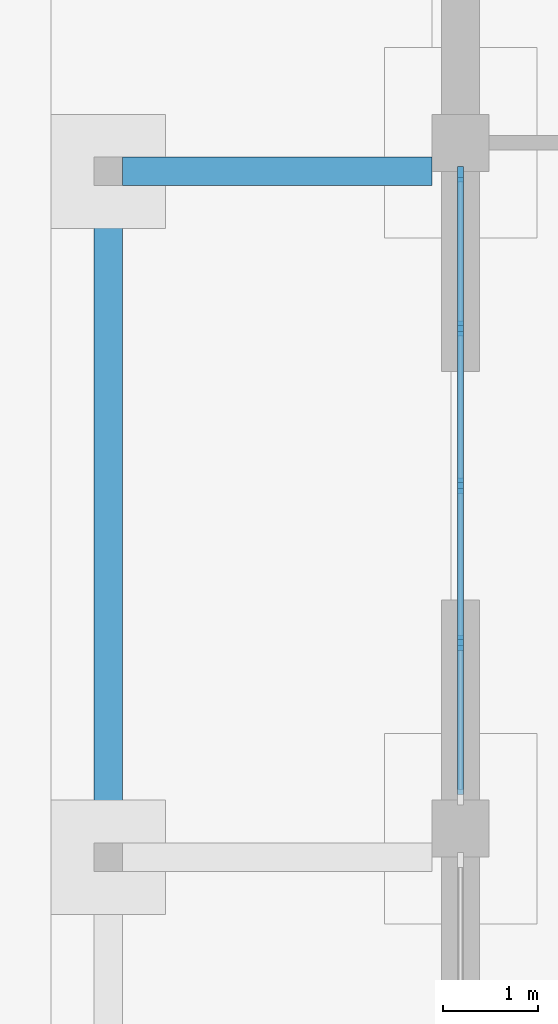
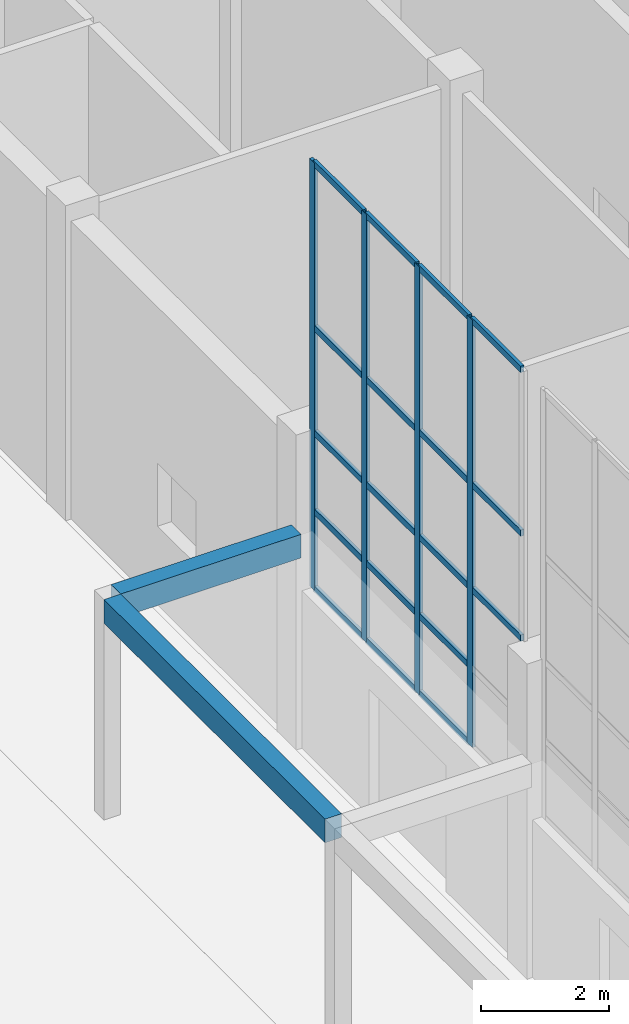
# One storey, part 11 of 70: 22 members, 2 beams, 1 element without a shape of its own.
"""IFC4 building model written with IfcOpenShell, lengths in metres."""

from ifc_helpers import new_model, si_unit, direction, frame, origin, origin_2d, place, context, subcontext, project, spatial, rectangle, extrude, material, material_profile, profile_set, type_object, element, aggregate, save


model = new_model("IFC4")

# Units and contexts
model_context = context("Model", 3, precision=1e-05, world=origin(), true_north=direction((0.0, 1.0)))
body_context = subcontext(model_context, "Body", "Model", "MODEL_VIEW")
ifc_project = project(units=[si_unit("LENGTHUNIT", "METRE"), si_unit("AREAUNIT", "SQUARE_METRE"), si_unit("VOLUMEUNIT", "CUBIC_METRE"), si_unit("PLANEANGLEUNIT", "RADIAN"), si_unit("MASSUNIT", "GRAM", prefix="KILO")], contexts=[model_context])

# Site, building, storey
site_placement = place(None, origin())
site = spatial("IfcSite", under=ifc_project, at=site_placement, CompositionType="ELEMENT")
building_placement = place(site_placement, origin())
building = spatial("IfcBuilding", under=site, at=building_placement, Name="Vermilion Court Aquatics Centre", CompositionType="ELEMENT")
storey_placement = place(building_placement, origin())
storey = spatial("IfcBuildingStorey", under=building, at=storey_placement, Name="L00", CompositionType="ELEMENT", Elevation=0.0)

# Beams
ifc_material_1 = material(Name="Concrete 5000 psi", Category="concrete")
ifc_material_profile_1 = material_profile(ifc_material_1, rectangle(XDim=0.300048828125, YDim=0.449951171875, at=origin_2d()), Name="RC 300x450")
ifc_profile_set_1 = profile_set([ifc_material_profile_1], Name="Concrete 5000 psi")
beam_type = type_object("IfcBeamType", Name="Foyer canopy beam RC 300x450", PredefinedType="BEAM", material=ifc_profile_set_1)
beam_1_placement = place(storey_placement, frame((-3.25, 50.10009765625, 3.97509765625), z_axis=(1.0, 0.0, 0.0), x_axis=(0.0, 1.0, 0.0)))
element("IfcBeam", 1, at=beam_1_placement, inside=storey, type_object=beam_type, Name="Foyer canopy beam", PredefinedType="BEAM", context=body_context, shape_type="SweptSolid", body=[
    extrude(rectangle(XDim=0.300048828125, YDim=0.449951171875, at=origin_2d()), origin(), (0.0, 0.0, 1.0), 3.25),
])
beam_2_placement = place(storey_placement, frame((-3.39990234375, 43.050048828125, 3.97509765625), z_axis=(0.0, 1.0, 0.0), x_axis=(-1.0, 0.0, 0.0)))
element("IfcBeam", 2, at=beam_2_placement, inside=storey, type_object=beam_type, Name="Foyer canopy edge beam", PredefinedType="BEAM", context=body_context, shape_type="SweptSolid", body=[
    extrude(rectangle(XDim=0.300048828125, YDim=0.449951171875, at=origin_2d()), origin(), (0.0, 0.0, 1.0), 6.89990234375),
])

# Curtain wall, members
ifc_material_2 = material(Name="Aluminium 6063-T5", Category="aluminium")
curtain_wall_type = type_object("IfcCurtainWallType", Name="Foyer curtain wall", PredefinedType="NOTDEFINED", material=ifc_material_2)
curtain_wall_placement = place(storey_placement, origin())
curtain_wall = element("IfcCurtainWall", 3, at=curtain_wall_placement, inside=storey, type_object=curtain_wall_type, Name="Foyer curtain wall 7", PredefinedType="NOTDEFINED")
ifc_material_3 = material(Name="Aluminium 6063-T5", Category="aluminium")
ifc_material_profile_2 = material_profile(ifc_material_3, rectangle(XDim=0.06005859375, YDim=0.159912109375, at=origin_2d()), Name="Aluminium 60x160")
ifc_profile_set_2 = profile_set([ifc_material_profile_2], Name="Aluminium 6063-T5")
member_type_1 = type_object("IfcMemberType", Name="Foyer mullion 60x160", PredefinedType="MULLION", material=ifc_profile_set_2)
member_1_placement = place(storey_placement, frame((0.300048828125, 45.14990234375, 3.0), z_axis=(0.0, 0.0, 1.0), x_axis=(-1.0, 0.0, 0.0)))
member_1 = element("IfcMember", 4, at=member_1_placement, type_object=member_type_1, Name="FCW1 mullion 2", PredefinedType="MULLION", context=body_context, shape_type="SweptSolid", body=[
    extrude(rectangle(XDim=0.06005859375, YDim=0.159912109375, at=origin_2d()), origin(), (0.0, 0.0, 1.0), 8.14990234375),
])
member_2_placement = place(storey_placement, frame((0.300048828125, 46.800048828125, 3.0), z_axis=(0.0, 0.0, 1.0), x_axis=(-1.0, 0.0, 0.0)))
member_2 = element("IfcMember", 5, at=member_2_placement, type_object=member_type_1, Name="FCW1 mullion 3", PredefinedType="MULLION", context=body_context, shape_type="SweptSolid", body=[
    extrude(rectangle(XDim=0.06005859375, YDim=0.159912109375, at=origin_2d()), origin(), (0.0, 0.0, 1.0), 8.14990234375),
])
member_3_placement = place(storey_placement, frame((0.300048828125, 48.449951171875, 3.0), z_axis=(0.0, 0.0, 1.0), x_axis=(-1.0, 0.0, 0.0)))
member_3 = element("IfcMember", 6, at=member_3_placement, type_object=member_type_1, Name="FCW1 mullion 4", PredefinedType="MULLION", context=body_context, shape_type="SweptSolid", body=[
    extrude(rectangle(XDim=0.06005859375, YDim=0.159912109375, at=origin_2d()), origin(), (0.0, 0.0, 1.0), 8.14990234375),
])
member_4_placement = place(storey_placement, frame((0.300048828125, 50.070068359375, 3.0), z_axis=(0.0, 0.0, 1.0), x_axis=(-1.0, 0.0, 0.0)))
member_4 = element("IfcMember", 7, at=member_4_placement, type_object=member_type_1, Name="FCW1 mullion 5", PredefinedType="MULLION", context=body_context, shape_type="SweptSolid", body=[
    extrude(rectangle(XDim=0.06005859375, YDim=0.159912109375, at=origin_2d()), origin(), (0.0, 0.0, 1.0), 8.14990234375),
])
ifc_material_4 = material(Name="Aluminium 6063-T5", Category="aluminium")
ifc_material_profile_3 = material_profile(ifc_material_4, rectangle(XDim=0.06005859375, YDim=0.1201171875, at=origin_2d()), Name="Aluminium 60x120")
ifc_profile_set_3 = profile_set([ifc_material_profile_3], Name="Aluminium 6063-T5")
member_type_2 = type_object("IfcMemberType", Name="Foyer transom 60x120", PredefinedType="USERDEFINED", material=ifc_profile_set_3)
member_5_placement = place(storey_placement, frame((0.300048828125, 43.56005859375, 6.0), z_axis=(0.0, 1.0, 0.0), x_axis=(-1.0, 0.0, 0.0)))
member_5 = element("IfcMember", 8, at=member_5_placement, type_object=member_type_2, Name="FCW1 transom 1.3", ObjectType="TRANSOM", PredefinedType="USERDEFINED", context=body_context, shape_type="SweptSolid", body=[
    extrude(rectangle(XDim=0.06005859375, YDim=0.1201171875, at=origin_2d()), origin(), (0.0, 0.0, 1.0), 1.56005859375),
])
member_6_placement = place(storey_placement, frame((0.300048828125, 43.56005859375, 8.0), z_axis=(0.0, 1.0, 0.0), x_axis=(-1.0, 0.0, 0.0)))
member_6 = element("IfcMember", 9, at=member_6_placement, type_object=member_type_2, Name="FCW1 transom 1.4", ObjectType="TRANSOM", PredefinedType="USERDEFINED", context=body_context, shape_type="SweptSolid", body=[
    extrude(rectangle(XDim=0.06005859375, YDim=0.1201171875, at=origin_2d()), origin(), (0.0, 0.0, 1.0), 1.56005859375),
])
member_7_placement = place(storey_placement, frame((0.300048828125, 43.56005859375, 11.1201171875), z_axis=(0.0, 1.0, 0.0), x_axis=(-1.0, 0.0, 0.0)))
member_7 = element("IfcMember", 10, at=member_7_placement, type_object=member_type_2, Name="FCW1 transom 1.5", ObjectType="TRANSOM", PredefinedType="USERDEFINED", context=body_context, shape_type="SweptSolid", body=[
    extrude(rectangle(XDim=0.06005859375, YDim=0.1201171875, at=origin_2d()), origin(), (0.0, 0.0, 1.0), 1.56005859375),
])
member_8_placement = place(storey_placement, frame((0.300048828125, 45.179931640625, 3.030029296875), z_axis=(0.0, 1.0, 0.0), x_axis=(-1.0, 0.0, 0.0)))
member_8 = element("IfcMember", 11, at=member_8_placement, type_object=member_type_2, Name="FCW1 transom 2.1", ObjectType="TRANSOM", PredefinedType="USERDEFINED", context=body_context, shape_type="SweptSolid", body=[
    extrude(rectangle(XDim=0.06005859375, YDim=0.1201171875, at=origin_2d()), origin(), (0.0, 0.0, 1.0), 1.590087890625),
])
member_9_placement = place(storey_placement, frame((0.300048828125, 45.179931640625, 4.5), z_axis=(0.0, 1.0, 0.0), x_axis=(-1.0, 0.0, 0.0)))
member_9 = element("IfcMember", 12, at=member_9_placement, type_object=member_type_2, Name="FCW1 transom 2.2", ObjectType="TRANSOM", PredefinedType="USERDEFINED", context=body_context, shape_type="SweptSolid", body=[
    extrude(rectangle(XDim=0.06005859375, YDim=0.1201171875, at=origin_2d()), origin(), (0.0, 0.0, 1.0), 1.590087890625),
])
member_10_placement = place(storey_placement, frame((0.300048828125, 45.179931640625, 6.0), z_axis=(0.0, 1.0, 0.0), x_axis=(-1.0, 0.0, 0.0)))
member_10 = element("IfcMember", 13, at=member_10_placement, type_object=member_type_2, Name="FCW1 transom 2.3", ObjectType="TRANSOM", PredefinedType="USERDEFINED", context=body_context, shape_type="SweptSolid", body=[
    extrude(rectangle(XDim=0.06005859375, YDim=0.1201171875, at=origin_2d()), origin(), (0.0, 0.0, 1.0), 1.590087890625),
])
member_11_placement = place(storey_placement, frame((0.300048828125, 45.179931640625, 8.0), z_axis=(0.0, 1.0, 0.0), x_axis=(-1.0, 0.0, 0.0)))
member_11 = element("IfcMember", 14, at=member_11_placement, type_object=member_type_2, Name="FCW1 transom 2.4", ObjectType="TRANSOM", PredefinedType="USERDEFINED", context=body_context, shape_type="SweptSolid", body=[
    extrude(rectangle(XDim=0.06005859375, YDim=0.1201171875, at=origin_2d()), origin(), (0.0, 0.0, 1.0), 1.590087890625),
])
member_12_placement = place(storey_placement, frame((0.300048828125, 45.179931640625, 11.1201171875), z_axis=(0.0, 1.0, 0.0), x_axis=(-1.0, 0.0, 0.0)))
member_12 = element("IfcMember", 15, at=member_12_placement, type_object=member_type_2, Name="FCW1 transom 2.5", ObjectType="TRANSOM", PredefinedType="USERDEFINED", context=body_context, shape_type="SweptSolid", body=[
    extrude(rectangle(XDim=0.06005859375, YDim=0.1201171875, at=origin_2d()), origin(), (0.0, 0.0, 1.0), 1.590087890625),
])
member_13_placement = place(storey_placement, frame((0.300048828125, 46.830078125, 3.030029296875), z_axis=(0.0, 1.0, 0.0), x_axis=(-1.0, 0.0, 0.0)))
member_13 = element("IfcMember", 16, at=member_13_placement, type_object=member_type_2, Name="FCW1 transom 3.1", ObjectType="TRANSOM", PredefinedType="USERDEFINED", context=body_context, shape_type="SweptSolid", body=[
    extrude(rectangle(XDim=0.06005859375, YDim=0.1201171875, at=origin_2d()), origin(), (0.0, 0.0, 1.0), 1.58984375),
])
member_14_placement = place(storey_placement, frame((0.300048828125, 46.830078125, 4.5), z_axis=(0.0, 1.0, 0.0), x_axis=(-1.0, 0.0, 0.0)))
member_14 = element("IfcMember", 17, at=member_14_placement, type_object=member_type_2, Name="FCW1 transom 3.2", ObjectType="TRANSOM", PredefinedType="USERDEFINED", context=body_context, shape_type="SweptSolid", body=[
    extrude(rectangle(XDim=0.06005859375, YDim=0.1201171875, at=origin_2d()), origin(), (0.0, 0.0, 1.0), 1.58984375),
])
member_15_placement = place(storey_placement, frame((0.300048828125, 46.830078125, 6.0), z_axis=(0.0, 1.0, 0.0), x_axis=(-1.0, 0.0, 0.0)))
member_15 = element("IfcMember", 18, at=member_15_placement, type_object=member_type_2, Name="FCW1 transom 3.3", ObjectType="TRANSOM", PredefinedType="USERDEFINED", context=body_context, shape_type="SweptSolid", body=[
    extrude(rectangle(XDim=0.06005859375, YDim=0.1201171875, at=origin_2d()), origin(), (0.0, 0.0, 1.0), 1.58984375),
])
member_16_placement = place(storey_placement, frame((0.300048828125, 46.830078125, 8.0), z_axis=(0.0, 1.0, 0.0), x_axis=(-1.0, 0.0, 0.0)))
member_16 = element("IfcMember", 19, at=member_16_placement, type_object=member_type_2, Name="FCW1 transom 3.4", ObjectType="TRANSOM", PredefinedType="USERDEFINED", context=body_context, shape_type="SweptSolid", body=[
    extrude(rectangle(XDim=0.06005859375, YDim=0.1201171875, at=origin_2d()), origin(), (0.0, 0.0, 1.0), 1.58984375),
])
member_17_placement = place(storey_placement, frame((0.300048828125, 46.830078125, 11.1201171875), z_axis=(0.0, 1.0, 0.0), x_axis=(-1.0, 0.0, 0.0)))
member_17 = element("IfcMember", 20, at=member_17_placement, type_object=member_type_2, Name="FCW1 transom 3.5", ObjectType="TRANSOM", PredefinedType="USERDEFINED", context=body_context, shape_type="SweptSolid", body=[
    extrude(rectangle(XDim=0.06005859375, YDim=0.1201171875, at=origin_2d()), origin(), (0.0, 0.0, 1.0), 1.58984375),
])
member_18_placement = place(storey_placement, frame((0.300048828125, 48.47998046875, 3.030029296875), z_axis=(0.0, 1.0, 0.0), x_axis=(-1.0, 0.0, 0.0)))
member_18 = element("IfcMember", 21, at=member_18_placement, type_object=member_type_2, Name="FCW1 transom 4.1", ObjectType="TRANSOM", PredefinedType="USERDEFINED", context=body_context, shape_type="SweptSolid", body=[
    extrude(rectangle(XDim=0.06005859375, YDim=0.1201171875, at=origin_2d()), origin(), (0.0, 0.0, 1.0), 1.56005859375),
])
member_19_placement = place(storey_placement, frame((0.300048828125, 48.47998046875, 4.5), z_axis=(0.0, 1.0, 0.0), x_axis=(-1.0, 0.0, 0.0)))
member_19 = element("IfcMember", 22, at=member_19_placement, type_object=member_type_2, Name="FCW1 transom 4.2", ObjectType="TRANSOM", PredefinedType="USERDEFINED", context=body_context, shape_type="SweptSolid", body=[
    extrude(rectangle(XDim=0.06005859375, YDim=0.1201171875, at=origin_2d()), origin(), (0.0, 0.0, 1.0), 1.56005859375),
])
member_20_placement = place(storey_placement, frame((0.300048828125, 48.47998046875, 6.0), z_axis=(0.0, 1.0, 0.0), x_axis=(-1.0, 0.0, 0.0)))
member_20 = element("IfcMember", 23, at=member_20_placement, type_object=member_type_2, Name="FCW1 transom 4.3", ObjectType="TRANSOM", PredefinedType="USERDEFINED", context=body_context, shape_type="SweptSolid", body=[
    extrude(rectangle(XDim=0.06005859375, YDim=0.1201171875, at=origin_2d()), origin(), (0.0, 0.0, 1.0), 1.56005859375),
])
member_21_placement = place(storey_placement, frame((0.300048828125, 48.47998046875, 8.0), z_axis=(0.0, 1.0, 0.0), x_axis=(-1.0, 0.0, 0.0)))
member_21 = element("IfcMember", 24, at=member_21_placement, type_object=member_type_2, Name="FCW1 transom 4.4", ObjectType="TRANSOM", PredefinedType="USERDEFINED", context=body_context, shape_type="SweptSolid", body=[
    extrude(rectangle(XDim=0.06005859375, YDim=0.1201171875, at=origin_2d()), origin(), (0.0, 0.0, 1.0), 1.56005859375),
])
member_22_placement = place(storey_placement, frame((0.300048828125, 48.47998046875, 11.1201171875), z_axis=(0.0, 1.0, 0.0), x_axis=(-1.0, 0.0, 0.0)))
member_22 = element("IfcMember", 25, at=member_22_placement, type_object=member_type_2, Name="FCW1 transom 4.5", ObjectType="TRANSOM", PredefinedType="USERDEFINED", context=body_context, shape_type="SweptSolid", body=[
    extrude(rectangle(XDim=0.06005859375, YDim=0.1201171875, at=origin_2d()), origin(), (0.0, 0.0, 1.0), 1.56005859375),
])
aggregate(curtain_wall, [member_1, member_2, member_3, member_4, member_5, member_6, member_7, member_8, member_9, member_10, member_11, member_12, member_13, member_14, member_15, member_16, member_17, member_18, member_19, member_20, member_21, member_22])

save(model, "model.ifc")
